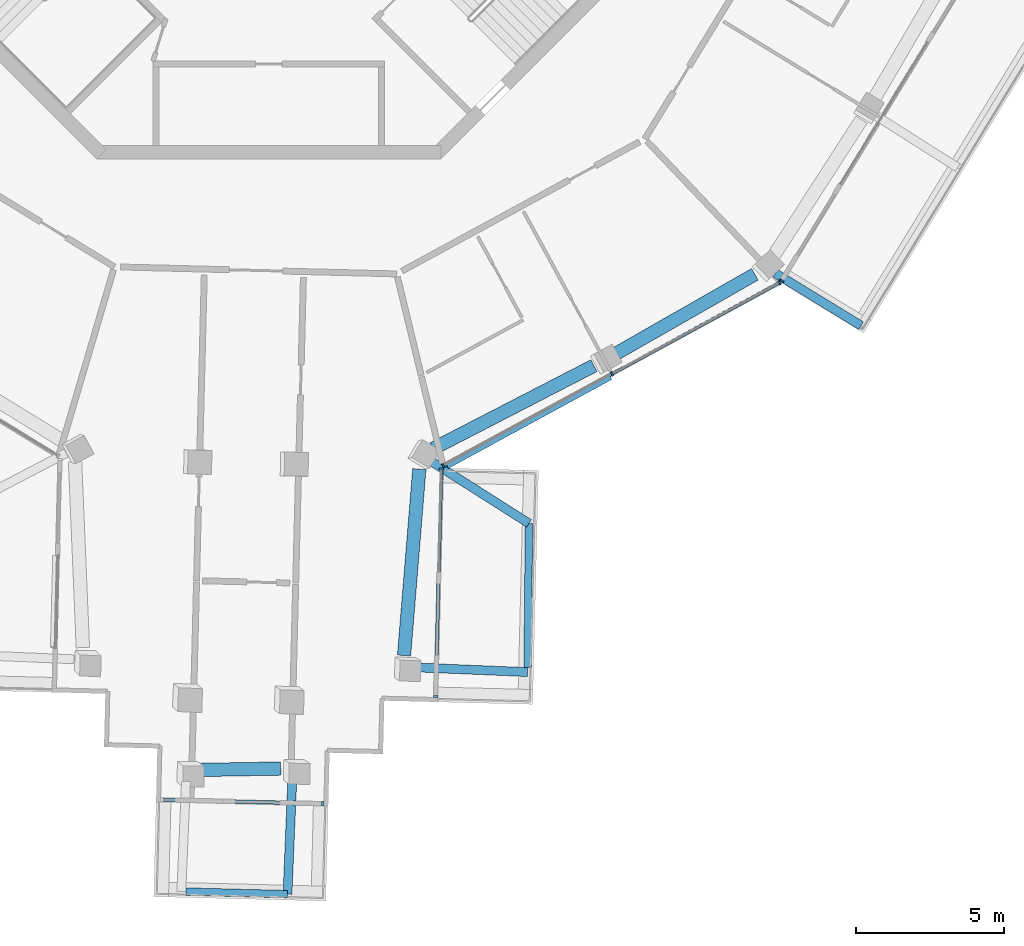
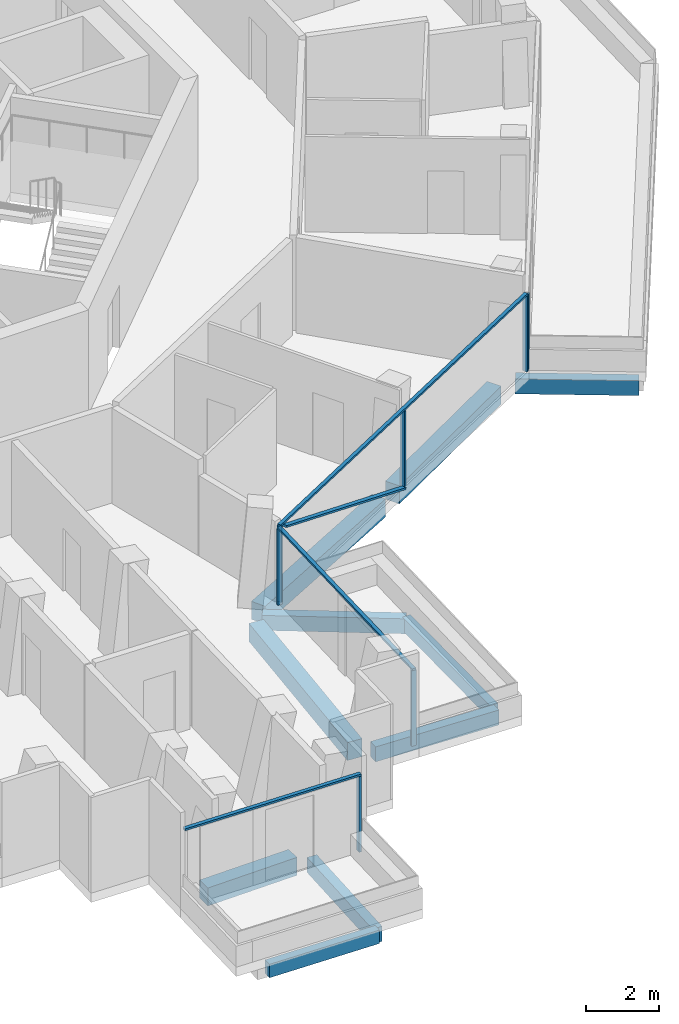
# One storey, part 3 of 24: 11 members, 10 beams, 4 elements without a shape of their own.
"""IFC4 building model written with IfcOpenShell, lengths in metres."""

from ifc_helpers import new_model, si_unit, direction, frame, origin, origin_2d, place, context, subcontext, project, spatial, rectangle, extrude, material, layer, layer_set, material_profile, profile_set, type_object, element, aggregate, save


model = new_model("IFC4")

# Units and contexts
model_context = context("Model", 3, precision=1e-05, world=origin(), true_north=direction((0.0, 1.0)))
body_context = subcontext(model_context, "Body", "Model", "MODEL_VIEW")
ifc_project = project(units=[si_unit("LENGTHUNIT", "METRE"), si_unit("AREAUNIT", "SQUARE_METRE"), si_unit("VOLUMEUNIT", "CUBIC_METRE"), si_unit("PLANEANGLEUNIT", "RADIAN"), si_unit("MASSUNIT", "GRAM", prefix="KILO")], contexts=[model_context])

# Site, building, storey
site_placement = place(None, origin())
site = spatial("IfcSite", under=ifc_project, at=site_placement, CompositionType="ELEMENT")
building_placement = place(site_placement, origin())
building = spatial("IfcBuilding", under=site, at=building_placement, Name="Verdalira Terraces Hotel", CompositionType="ELEMENT")
storey_placement = place(building_placement, frame((0.0, 0.0, 274.0)))
storey = spatial("IfcBuildingStorey", under=building, at=storey_placement, Name="L67", CompositionType="ELEMENT", Elevation=274.0)

# Beams
ifc_material_1 = material(Name="Concrete C40", Category="concrete")
ifc_material_profile_1 = material_profile(ifc_material_1, rectangle(XDim=0.300049, YDim=0.5, at=origin_2d()), Name="RC 300X500")
ifc_profile_set_1 = profile_set([ifc_material_profile_1], Name="Concrete C40")
beam_type_1 = type_object("IfcBeamType", Name="Balcony cantilever beam RC 300X500 C40", PredefinedType="BEAM", material=ifc_profile_set_1)
beam_1_placement = place(storey_placement, frame((0.791748, -34.90625, -0.560059), z_axis=(-0.041866937, -0.999123195, 0.0), x_axis=(0.999123195, -0.041866937, 0.0)))
element("IfcBeam", 1, at=beam_1_placement, inside=storey, type_object=beam_type_1, Name="Balcony cantilever beam R19-2", PredefinedType="BEAM", context=body_context, shape_type="SweptSolid", body=[
    extrude(rectangle(XDim=0.300049, YDim=0.5, at=origin_2d()), origin(), (0.0, 0.0, 1.0), 3.866211),
])
beam_2_placement = place(storey_placement, frame((4.907471, -31.128418, -0.560059), z_axis=(0.999125287, -0.041816999, 0.0), x_axis=(0.041816999, 0.999125287, 0.0)))
element("IfcBeam", 2, at=beam_2_placement, inside=storey, type_object=beam_type_1, Name="Balcony cantilever beam R24-1", PredefinedType="BEAM", context=body_context, shape_type="SweptSolid", body=[
    extrude(rectangle(XDim=0.300049, YDim=0.5, at=origin_2d()), origin(), (0.0, 0.0, 1.0), 3.8125),
])
beam_3_placement = place(storey_placement, frame((5.429932, -24.160889, -0.560059), z_axis=(0.844297154, -0.53587528, 0.0), x_axis=(0.53587528, 0.844297154, 0.0)))
element("IfcBeam", 3, at=beam_3_placement, inside=storey, type_object=beam_type_1, Name="Balcony cantilever beam R24-2", PredefinedType="BEAM", context=body_context, shape_type="SweptSolid", body=[
    extrude(rectangle(XDim=0.300049, YDim=0.5, at=origin_2d()), origin(), (0.0, 0.0, 1.0), 3.949951),
])
beam_4_placement = place(storey_placement, frame((17.070557, -17.851074, -0.560059), z_axis=(0.853203328, -0.521578451, 0.0), x_axis=(0.521578451, 0.853203328, 0.0)))
element("IfcBeam", 4, at=beam_4_placement, inside=storey, type_object=beam_type_1, Name="Balcony cantilever beam R26-1", PredefinedType="BEAM", context=body_context, shape_type="SweptSolid", body=[
    extrude(rectangle(XDim=0.300049, YDim=0.5, at=origin_2d()), origin(), (0.0, 0.0, 1.0), 3.382812),
])
ifc_material_2 = material(Name="Concrete C40", Category="concrete")
ifc_material_profile_2 = material_profile(ifc_material_2, rectangle(XDim=0.25, YDim=0.449951, at=origin_2d()), Name="RC 250X450")
ifc_profile_set_2 = profile_set([ifc_material_profile_2], Name="Concrete C40")
beam_type_2 = type_object("IfcBeamType", Name="Balcony edge beam RC 250X450 C40", PredefinedType="BEAM", material=ifc_profile_set_2)
beam_5_placement = place(storey_placement, frame((-2.796631, -38.682861, -0.534912), z_axis=(0.999683853, -0.025143456, 0.0), x_axis=(0.025143456, 0.999683853, 0.0)))
element("IfcBeam", 5, at=beam_5_placement, inside=storey, type_object=beam_type_2, Name="Balcony edge beam R19-1", PredefinedType="BEAM", context=body_context, shape_type="SweptSolid", body=[
    extrude(rectangle(XDim=0.25, YDim=0.449951, at=origin_2d()), origin(), (0.0, 0.0, 1.0), 3.42749),
])
beam_6_placement = place(storey_placement, frame((8.718018, -31.137695, -0.534912), z_axis=(0.0096444, 0.999953492, 0.0), x_axis=(-0.999953492, 0.0096444, 0.0)))
element("IfcBeam", 6, at=beam_6_placement, inside=storey, type_object=beam_type_2, Name="Balcony edge beam R24-1", PredefinedType="BEAM", context=body_context, shape_type="SweptSolid", body=[
    extrude(rectangle(XDim=0.25, YDim=0.449951, at=origin_2d()), origin(), (0.0, 0.0, 1.0), 4.860352),
])

# Curtain wall, members
ifc_material_3 = material(Name="Clear glass", Category="glass")
ifc_layer_1 = layer(ifc_material_3, 0.14990234375)
ifc_layer_set_1 = layer_set([ifc_layer_1], Name="CW1 curtain wall")
curtain_wall_type_1 = type_object("IfcCurtainWallType", Name="CW1 curtain wall", PredefinedType="NOTDEFINED", material=ifc_layer_set_1)
curtain_wall_1_placement = place(storey_placement, origin())
curtain_wall_1 = element("IfcCurtainWall", 7, at=curtain_wall_1_placement, inside=storey, type_object=curtain_wall_type_1, Name="CW1 curtain wall L67 edge 25", PredefinedType="NOTDEFINED")
ifc_material_4 = material(Name="Terracotta frame", Category="masonry")
ifc_material_profile_3 = material_profile(ifc_material_4, rectangle(XDim=0.060059, YDim=0.149902, at=origin_2d()), Name="MU 60x150")
ifc_profile_set_3 = profile_set([ifc_material_profile_3], Name="Terracotta frame")
member_type_1 = type_object("IfcMemberType", Name="CW1 mullion 60x150", PredefinedType="MULLION", material=ifc_profile_set_3)
member_1_placement = place(storey_placement, frame((5.878906, -24.33374, 0.0), z_axis=(0.0, 0.0, 1.0), x_axis=(0.878316951, 0.478078794, 0.0)))
member_1 = element("IfcMember", 8, at=member_1_placement, type_object=member_type_1, Name="CW1 mullion", PredefinedType="MULLION", context=body_context, shape_type="SweptSolid", body=[
    extrude(rectangle(XDim=0.060059, YDim=0.149902, at=origin_2d()), origin(), (0.0, 0.0, 1.0), 2.524902),
])
member_2_placement = place(storey_placement, frame((11.561523, -21.240723, 0.0), z_axis=(0.0, 0.0, 1.0), x_axis=(0.878316951, 0.478078794, 0.0)))
member_2 = element("IfcMember", 9, at=member_2_placement, type_object=member_type_1, Name="CW1 mullion", PredefinedType="MULLION", context=body_context, shape_type="SweptSolid", body=[
    extrude(rectangle(XDim=0.060059, YDim=0.149902, at=origin_2d()), origin(), (0.0, 0.0, 1.0), 2.524902),
])
member_3_placement = place(storey_placement, frame((17.208984, -18.166748, 0.0), z_axis=(0.0, 0.0, 1.0), x_axis=(0.878316951, 0.478078794, 0.0)))
member_3 = element("IfcMember", 10, at=member_3_placement, type_object=member_type_1, Name="CW1 mullion", PredefinedType="MULLION", context=body_context, shape_type="SweptSolid", body=[
    extrude(rectangle(XDim=0.060059, YDim=0.149902, at=origin_2d()), origin(), (0.0, 0.0, 1.0), 2.524902),
])

# Curtain wall, member
curtain_wall_2_placement = place(storey_placement, origin())
curtain_wall_2 = element("IfcCurtainWall", 11, at=curtain_wall_2_placement, inside=storey, type_object=curtain_wall_type_1, Name="CW1 curtain wall L67 edge 26", PredefinedType="NOTDEFINED")
member_4_placement = place(storey_placement, frame((17.279053, -18.100098, 0.0), z_axis=(0.0, 0.0, 1.0), x_axis=(0.521605396, 0.853186856, 0.0)))
member_4 = element("IfcMember", 12, at=member_4_placement, type_object=member_type_1, Name="CW1 mullion", PredefinedType="MULLION", context=body_context, shape_type="SweptSolid", body=[
    extrude(rectangle(XDim=0.060059, YDim=0.149902, at=origin_2d()), origin(), (0.0, 0.0, 1.0), 2.524902),
])
aggregate(curtain_wall_2, [member_4])

# Member
ifc_material_5 = material(Name="Terracotta frame", Category="masonry")
ifc_material_profile_4 = material_profile(ifc_material_5, rectangle(XDim=0.110107, YDim=0.064941, at=origin_2d()), Name="TR 65x110")
ifc_profile_set_4 = profile_set([ifc_material_profile_4], Name="Terracotta frame")
member_type_2 = type_object("IfcMemberType", Name="CW1 transom 65x110", PredefinedType="USERDEFINED", material=ifc_profile_set_4)
member_5_placement = place(storey_placement, frame((5.852539, -24.348145, 2.557617), z_axis=(0.878317114, 0.478078494, 0.0), x_axis=(-0.478078494, 0.878317114, 0.0)))
member_5 = element("IfcMember", 13, at=member_5_placement, type_object=member_type_2, Name="CW1 transom", ObjectType="TRANSOM", PredefinedType="USERDEFINED", context=body_context, shape_type="SweptSolid", body=[
    extrude(rectangle(XDim=0.110107, YDim=0.064941, at=origin_2d()), origin(), (0.0, 0.0, 1.0), 12.959717),
])

# Curtain wall, members
ifc_material_6 = material(Name="Clear glass", Category="glass")
ifc_layer_2 = layer(ifc_material_6, 0.14990234375)
ifc_layer_set_2 = layer_set([ifc_layer_2], Name="CW2 curtain wall")
curtain_wall_type_2 = type_object("IfcCurtainWallType", Name="CW2 curtain wall", PredefinedType="NOTDEFINED", material=ifc_layer_set_2)
curtain_wall_3_placement = place(storey_placement, origin())
curtain_wall_3 = element("IfcCurtainWall", 14, at=curtain_wall_3_placement, inside=storey, type_object=curtain_wall_type_2, Name="CW2 curtain wall L67 edge 24", PredefinedType="NOTDEFINED")
ifc_material_7 = material(Name="Terracotta frame", Category="masonry")
ifc_material_profile_5 = material_profile(ifc_material_7, rectangle(XDim=0.070068, YDim=0.149902, at=origin_2d()), Name="MU 70x150")
ifc_profile_set_5 = profile_set([ifc_material_profile_5], Name="Terracotta frame")
member_type_3 = type_object("IfcMemberType", Name="CW2 mullion 70x150", PredefinedType="MULLION", material=ifc_profile_set_5)
member_6_placement = place(storey_placement, frame((5.619873, -32.107422, 0.0), z_axis=(0.0, 0.0, 1.0), x_axis=(0.025130095, 0.999684189, 0.0)))
member_6 = element("IfcMember", 15, at=member_6_placement, type_object=member_type_3, Name="CW2 mullion", PredefinedType="MULLION", context=body_context, shape_type="SweptSolid", body=[
    extrude(rectangle(XDim=0.070068, YDim=0.149902, at=origin_2d()), origin(), (0.0, 0.0, 1.0), 2.524902),
])
member_7_placement = place(storey_placement, frame((5.8125, -24.447021, 0.0), z_axis=(0.0, 0.0, 1.0), x_axis=(0.025130095, 0.999684189, 0.0)))
member_7 = element("IfcMember", 16, at=member_7_placement, type_object=member_type_3, Name="CW2 mullion", PredefinedType="MULLION", context=body_context, shape_type="SweptSolid", body=[
    extrude(rectangle(XDim=0.070068, YDim=0.149902, at=origin_2d()), origin(), (0.0, 0.0, 1.0), 2.524902),
])
ifc_material_8 = material(Name="Terracotta frame", Category="masonry")
ifc_material_profile_6 = material_profile(ifc_material_8, rectangle(XDim=0.11499, YDim=0.064941, at=origin_2d()), Name="TR 65x115")
ifc_profile_set_6 = profile_set([ifc_material_profile_6], Name="Terracotta frame")
member_type_4 = type_object("IfcMemberType", Name="CW2 transom 65x115", PredefinedType="USERDEFINED", material=ifc_profile_set_6)
member_8_placement = place(storey_placement, frame((5.619141, -32.142334, 2.557617), z_axis=(0.025131813, 0.999684146, 0.0), x_axis=(-0.999684146, 0.025131813, 0.0)))
member_8 = element("IfcMember", 17, at=member_8_placement, type_object=member_type_4, Name="CW2 transom", ObjectType="TRANSOM", PredefinedType="USERDEFINED", context=body_context, shape_type="SweptSolid", body=[
    extrude(rectangle(XDim=0.11499, YDim=0.064941, at=origin_2d()), origin(), (0.0, 0.0, 1.0), 7.732666),
])
aggregate(curtain_wall_3, [member_6, member_7, member_8])

ifc_material_9 = material(Name="Clear glass", Category="glass")
ifc_layer_3 = layer(ifc_material_9, 0.14990234375)
ifc_layer_set_3 = layer_set([ifc_layer_3], Name="CW3 curtain wall")
curtain_wall_type_3 = type_object("IfcCurtainWallType", Name="CW3 curtain wall", PredefinedType="NOTDEFINED", material=ifc_layer_set_3)
curtain_wall_4_placement = place(storey_placement, origin())
curtain_wall_4 = element("IfcCurtainWall", 18, at=curtain_wall_4_placement, inside=storey, type_object=curtain_wall_type_3, Name="CW3 curtain wall L67 edge 19", PredefinedType="NOTDEFINED")
ifc_material_10 = material(Name="Terracotta frame", Category="masonry")
ifc_material_profile_7 = material_profile(ifc_material_10, rectangle(XDim=0.080078, YDim=0.149902, at=origin_2d()), Name="MU 80x150")
ifc_profile_set_7 = profile_set([ifc_material_profile_7], Name="Terracotta frame")
member_type_5 = type_object("IfcMemberType", Name="CW3 mullion 80x150", PredefinedType="MULLION", material=ifc_profile_set_7)
member_9_placement = place(storey_placement, frame((1.812744, -35.722656, 0.0), z_axis=(0.0, 0.0, 1.0), x_axis=(0.999684189, -0.025130095, 0.0)))
member_9 = element("IfcMember", 19, at=member_9_placement, type_object=member_type_5, Name="CW3 mullion", PredefinedType="MULLION", context=body_context, shape_type="SweptSolid", body=[
    extrude(rectangle(XDim=0.080078, YDim=0.149902, at=origin_2d()), origin(), (0.0, 0.0, 1.0), 2.524902),
])
ifc_material_11 = material(Name="Terracotta frame", Category="masonry")
ifc_material_profile_8 = material_profile(ifc_material_11, rectangle(XDim=0.120117, YDim=0.064941, at=origin_2d()), Name="TR 65x120")
ifc_profile_set_8 = profile_set([ifc_material_profile_8], Name="Terracotta frame")
member_type_6 = type_object("IfcMemberType", Name="CW3 transom 65x120", PredefinedType="USERDEFINED", material=ifc_profile_set_8)
member_10_placement = place(storey_placement, frame((-3.645508, -35.585449, 2.557617), z_axis=(0.999683222, -0.025168527, 0.0), x_axis=(0.025168527, 0.999683222, 0.0)))
member_10 = element("IfcMember", 20, at=member_10_placement, type_object=member_type_6, Name="CW3 transom", ObjectType="TRANSOM", PredefinedType="USERDEFINED", context=body_context, shape_type="SweptSolid", body=[
    extrude(rectangle(XDim=0.120117, YDim=0.064941, at=origin_2d()), origin(), (0.0, 0.0, 1.0), 5.5),
])
aggregate(curtain_wall_4, [member_9, member_10])

# Member
ifc_material_12 = material(Name="Terracotta frame", Category="masonry")
ifc_material_profile_9 = material_profile(ifc_material_12, rectangle(XDim=0.149902, YDim=0.060059, at=origin_2d()), Name="GB 60x150")
ifc_profile_set_9 = profile_set([ifc_material_profile_9], Name="Terracotta frame")
member_type_7 = type_object("IfcMemberType", Name="Diagonal glazing bar 60x150", PredefinedType="USERDEFINED", material=ifc_profile_set_9)
member_11_placement = place(storey_placement, frame((6.011475, -24.362793, 2.496338), z_axis=(0.817210005, 0.444791691, -0.366508063), x_axis=(-0.478057373, 0.878328611, 0.0)))
member_11 = element("IfcMember", 21, at=member_11_placement, type_object=member_type_7, Name="Diagonal glazing bar", ObjectType="GLAZING BAR", PredefinedType="USERDEFINED", context=body_context, shape_type="SweptSolid", body=[
    extrude(rectangle(XDim=0.149902, YDim=0.060059, at=origin_2d()), origin(), (0.0, 0.0, 1.0), 6.733154),
])

aggregate(curtain_wall_1, [member_1, member_2, member_3, member_5, member_11])

# Beams
ifc_material_13 = material(Name="Concrete C40", Category="concrete")
ifc_material_profile_10 = material_profile(ifc_material_13, rectangle(XDim=0.449951, YDim=0.600098, at=origin_2d()), Name="RC 450X600")
ifc_profile_set_10 = profile_set([ifc_material_profile_10], Name="Concrete C40")
beam_type_3 = type_object("IfcBeamType", Name="Spandrel beam RC 450X600 C40", PredefinedType="SPANDREL", material=ifc_profile_set_10)
beam_7_placement = place(storey_placement, frame((-2.440186, -34.587158, -0.610107), z_axis=(0.999848065, 0.017431223, 0.0), x_axis=(-0.017431223, 0.999848065, 0.0)))
element("IfcBeam", 22, at=beam_7_placement, inside=storey, type_object=beam_type_3, Name="Spandrel beam B11", PredefinedType="SPANDREL", context=body_context, shape_type="SweptSolid", body=[
    extrude(rectangle(XDim=0.449951, YDim=0.600098, at=origin_2d()), origin(), (0.0, 0.0, 1.0), 2.843262),
])
beam_8_placement = place(storey_placement, frame((4.557129, -30.729492, -0.610107), z_axis=(0.081637717, 0.996662071, 0.0), x_axis=(-0.996662071, 0.081637717, 0.0)))
element("IfcBeam", 23, at=beam_8_placement, inside=storey, type_object=beam_type_3, Name="Spandrel beam B12", PredefinedType="SPANDREL", context=body_context, shape_type="SweptSolid", body=[
    extrude(rectangle(XDim=0.449951, YDim=0.600098, at=origin_2d()), origin(), (0.0, 0.0, 1.0), 6.301025),
])
beam_9_placement = place(storey_placement, frame((5.535889, -23.759033, -0.610107), z_axis=(0.888726963, 0.458436894, 0.0), x_axis=(-0.458436894, 0.888726963, 0.0)))
element("IfcBeam", 24, at=beam_9_placement, inside=storey, type_object=beam_type_3, Name="Spandrel beam B13", PredefinedType="SPANDREL", context=body_context, shape_type="SweptSolid", body=[
    extrude(rectangle(XDim=0.449951, YDim=0.600098, at=origin_2d()), origin(), (0.0, 0.0, 1.0), 6.097656),
])
beam_10_placement = place(storey_placement, frame((11.583008, -20.622559, -0.610107), z_axis=(0.868479778, 0.495724596, 0.0), x_axis=(-0.495724596, 0.868479778, 0.0)))
element("IfcBeam", 25, at=beam_10_placement, inside=storey, type_object=beam_type_3, Name="Spandrel beam B14", PredefinedType="SPANDREL", context=body_context, shape_type="SweptSolid", body=[
    extrude(rectangle(XDim=0.449951, YDim=0.600098, at=origin_2d()), origin(), (0.0, 0.0, 1.0), 5.52124),
])

save(model, "model.ifc")
